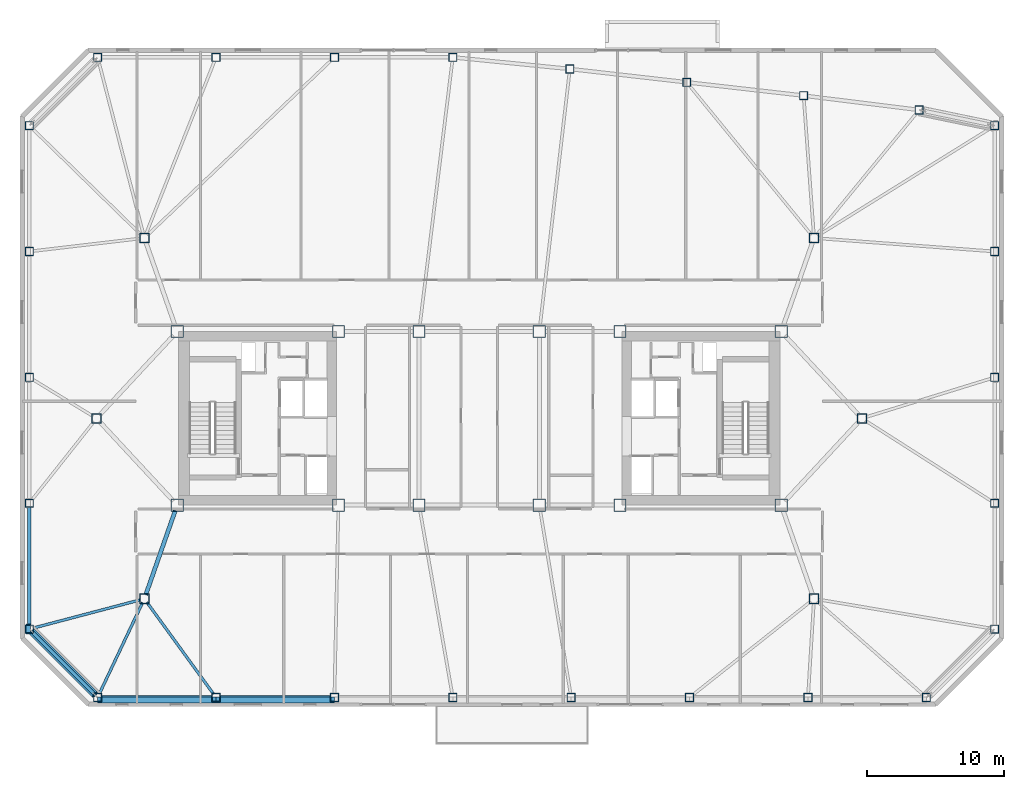
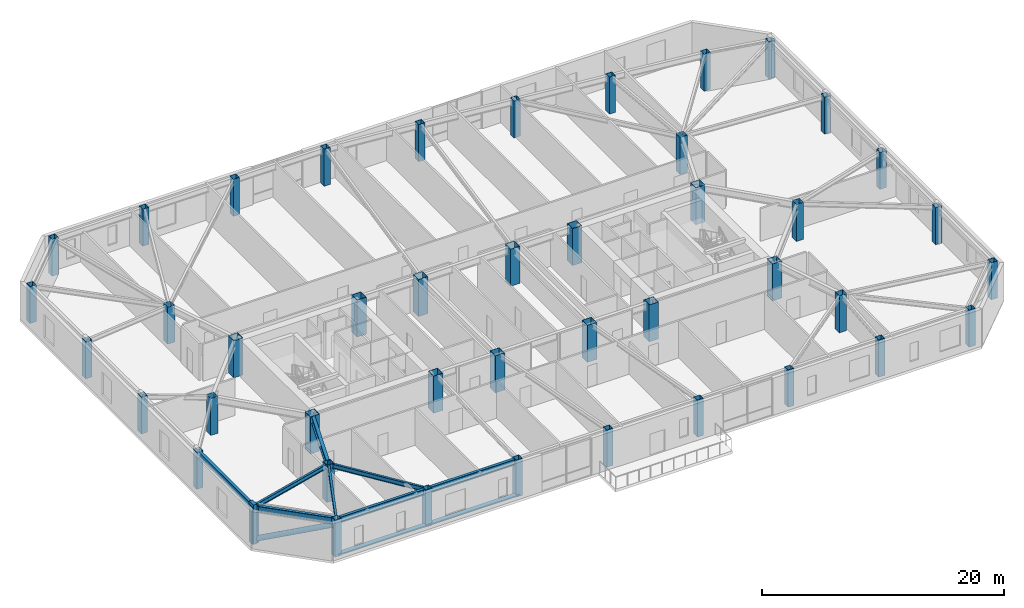
# One storey, part 1 of 19: 44 columns, 8 beams, 4 members.
"""IFC4 building model written with IfcOpenShell, lengths in metres."""

from ifc_helpers import new_model, si_unit, direction, frame, origin, origin_2d, place, context, subcontext, project, spatial, rectangle, hollow_rectangle, hollow_circle, i_section, extrude, material, material_profile, profile_set, type_object, element, save


model = new_model("IFC4")

# Units and contexts
model_context = context("Model", 3, precision=1e-05, world=origin(), true_north=direction((0.0, 1.0)))
body_context = subcontext(model_context, "Body", "Model", "MODEL_VIEW")
ifc_project = project(units=[si_unit("LENGTHUNIT", "METRE"), si_unit("AREAUNIT", "SQUARE_METRE"), si_unit("VOLUMEUNIT", "CUBIC_METRE"), si_unit("PLANEANGLEUNIT", "RADIAN"), si_unit("MASSUNIT", "GRAM", prefix="KILO")], contexts=[model_context])

# Site, building, storey
site_placement = place(None, origin())
site = spatial("IfcSite", under=ifc_project, at=site_placement, CompositionType="ELEMENT")
building_placement = place(site_placement, origin())
building = spatial("IfcBuilding", under=site, at=building_placement, Name="Tavrogorsk Clinical Tower", CompositionType="ELEMENT")
storey_placement = place(building_placement, frame((0.0, 0.0, 188.199951171875)))
storey = spatial("IfcBuildingStorey", under=building, at=storey_placement, Name="L43", CompositionType="ELEMENT", Elevation=188.199951171875)

# Columns
ifc_material_1 = material(Name="Structural steel S440", Category="steel")
ifc_material_profile_1 = material_profile(ifc_material_1, hollow_rectangle(XDim=0.699951171875, YDim=0.699951171875, WallThickness=0.031982421875, at=origin_2d()), Name="BOX-700x700x32")
ifc_profile_set_1 = profile_set([ifc_material_profile_1], Name="Structural steel S440")
column_type_1 = type_object("IfcColumnType", Name="MegaCol_BOX700", PredefinedType="COLUMN", material=ifc_profile_set_1)
for number, where, z_axis, x_axis, name in (
    (1, (-24.5, -13.199951171875, 0.0), (0.0, 0.0, 1.0), (1.0, 0.0, 0.0), "L43 Spine Pilotis Column MC-P1"),
    (2, (24.5, -13.199951171875, 0.0), (0.0, 0.0, 1.0), (1.0, 0.0, 0.0), "L43 Spine Pilotis Column MC-P2"),
    (3, (-24.5, 13.199951171875, 0.0), (0.0, 0.0, 1.0), (1.0, 0.0, 0.0), "L43 Spine Pilotis Column MC-P3"),
    (4, (24.5, 13.199951171875, 0.0), (0.0, 0.0, 1.0), (1.0, 0.0, 0.0), "L43 Spine Pilotis Column MC-P4"),
    (5, (-28.0, 0.0, 0.0), (0.0, 0.0, 1.0), (1.0, 0.0, 0.0), "L43 Spine Pilotis Column MC-P5"),
    (6, (28.0, 0.0, 0.0), (0.0, 0.0, 1.0), (1.0, 0.0, 0.0), "L43 Spine Pilotis Column MC-P6"),
):
    element("IfcColumn", number, at=place(storey_placement, frame(where, z_axis=z_axis, x_axis=x_axis)), inside=storey, type_object=column_type_1, Name=name, PredefinedType="COLUMN", context=body_context, shape_type="SweptSolid", body=[
        extrude(hollow_rectangle(XDim=0.699951171875, YDim=0.699951171875, WallThickness=0.031982421875, at=origin_2d()), origin(), (0.0, 0.0, 1.0), 3.739990234375),
    ])
ifc_material_2 = material(Name="Structural steel S440", Category="steel")
ifc_material_profile_2 = material_profile(ifc_material_2, hollow_rectangle(XDim=0.89990234375, YDim=0.89990234375, WallThickness=0.0400390625, at=origin_2d()), Name="BOX-900x900x40")
ifc_profile_set_2 = profile_set([ifc_material_profile_2], Name="Structural steel S440")
column_type_2 = type_object("IfcColumnType", Name="MegaCol_BOX900", PredefinedType="COLUMN", material=ifc_profile_set_2)
for number, where, z_axis, x_axis, name in (
    (7, (-22.10009765625, -6.35009765625, 0.0), (0.0, 0.0, 1.0), (1.0, 0.0, 0.0), "L43 Mega Column MC-W1"),
    (8, (-22.10009765625, 6.35009765625, 0.0), (0.0, 0.0, 1.0), (1.0, 0.0, 0.0), "L43 Mega Column MC-W2"),
    (9, (-10.300048828125, -6.35009765625, 0.0), (0.0, 0.0, 1.0), (1.0, 0.0, 0.0), "L43 Mega Column MC-W3"),
    (10, (-10.300048828125, 6.35009765625, 0.0), (0.0, 0.0, 1.0), (1.0, 0.0, 0.0), "L43 Mega Column MC-W4"),
    (11, (10.300048828125, -6.35009765625, 0.0), (0.0, 0.0, 1.0), (1.0, 0.0, 0.0), "L43 Mega Column MC-E1"),
    (12, (10.300048828125, 6.35009765625, 0.0), (0.0, 0.0, 1.0), (1.0, 0.0, 0.0), "L43 Mega Column MC-E2"),
    (13, (22.10009765625, -6.35009765625, 0.0), (0.0, 0.0, 1.0), (1.0, 0.0, 0.0), "L43 Mega Column MC-E3"),
    (14, (22.10009765625, 6.35009765625, 0.0), (0.0, 0.0, 1.0), (1.0, 0.0, 0.0), "L43 Mega Column MC-E4"),
    (15, (-4.39990234375, -6.35009765625, 0.0), (0.0, 0.0, 1.0), (1.0, 0.0, 0.0), "L43 Mega Column MC-C1"),
    (16, (4.39990234375, -6.35009765625, 0.0), (0.0, 0.0, 1.0), (1.0, 0.0, 0.0), "L43 Mega Column MC-C2"),
    (17, (-4.39990234375, 6.35009765625, 0.0), (0.0, 0.0, 1.0), (1.0, 0.0, 0.0), "L43 Mega Column MC-C3"),
    (18, (4.39990234375, 6.35009765625, 0.0), (0.0, 0.0, 1.0), (1.0, 0.0, 0.0), "L43 Mega Column MC-C4"),
):
    element("IfcColumn", number, at=place(storey_placement, frame(where, z_axis=z_axis, x_axis=x_axis)), inside=storey, type_object=column_type_2, Name=name, PredefinedType="COLUMN", context=body_context, shape_type="SweptSolid", body=[
        extrude(hollow_rectangle(XDim=0.89990234375, YDim=0.89990234375, WallThickness=0.0400390625, at=origin_2d()), origin(), (0.0, 0.0, 1.0), 3.739990234375),
    ])
ifc_material_3 = material(Name="Structural steel S440", Category="steel")
ifc_material_profile_3 = material_profile(ifc_material_3, hollow_rectangle(XDim=0.60009765625, YDim=0.60009765625, WallThickness=0.028076171875, at=origin_2d()), Name="BOX-600x600x28")
ifc_profile_set_3 = profile_set([ifc_material_profile_3], Name="Structural steel S440")
column_type_3 = type_object("IfcColumnType", Name="PerimCol_B3_BOX600", PredefinedType="COLUMN", material=ifc_profile_set_3)
for number, where, z_axis, x_axis, name in (
    (19, (-27.919921875, -20.419921875, 0.0), (0.0, 0.0, 1.0), (1.0, 0.0, 0.0), "L43 Perimeter Column S1"),
    (20, (-19.257080078125, -20.419921875, 0.0), (0.0, 0.0, 1.0), (1.0, 0.0, 0.0), "L43 Perimeter Column S2"),
    (21, (-10.59423828125, -20.419921875, 0.0), (0.0, 0.0, 1.0), (1.0, 0.0, 0.0), "L43 Perimeter Column S3"),
    (22, (-1.931396484375, -20.419921875, 0.0), (0.0, 0.0, 1.0), (1.0, 0.0, 0.0), "L43 Perimeter Column S4"),
    (23, (6.7314453125, -20.419921875, 0.0), (0.0, 0.0, 1.0), (1.0, 0.0, 0.0), "L43 Perimeter Column S5"),
    (24, (15.394287109375, -20.419921875, 0.0), (0.0, 0.0, 1.0), (1.0, 0.0, 0.0), "L43 Perimeter Column S6"),
    (25, (24.05712890625, -20.419921875, 0.0), (0.0, 0.0, 1.0), (1.0, 0.0, 0.0), "L43 Perimeter Column S7"),
    (26, (32.719970703125, -20.419921875, 0.0), (0.0, 0.0, 1.0), (1.0, 0.0, 0.0), "L43 Perimeter Column S8"),
    (27, (32.19140625, 22.56591796875, 0.0), (0.0, 0.0, 1.0), (1.0, 0.0, 0.0), "L43 Perimeter Column N1"),
    (28, (23.73779296875, 23.617919921875, 0.0), (0.0, 0.0, 1.0), (1.0, 0.0, 0.0), "L43 Perimeter Column N2"),
    (29, (15.18603515625, 24.59228515625, 0.0), (0.0, 0.0, 1.0), (1.0, 0.0, 0.0), "L43 Perimeter Column N3"),
    (30, (6.63427734375, 25.566650390625, 0.0), (0.0, 0.0, 1.0), (1.0, 0.0, 0.0), "L43 Perimeter Column N4"),
    (31, (-1.931396484375, 26.419921875, 0.0), (0.0, 0.0, 1.0), (1.0, 0.0, 0.0), "L43 Perimeter Column N5"),
    (32, (-10.59423828125, 26.419921875, 0.0), (0.0, 0.0, 1.0), (1.0, 0.0, 0.0), "L43 Perimeter Column N6"),
    (33, (-19.257080078125, 26.419921875, 0.0), (0.0, 0.0, 1.0), (1.0, 0.0, 0.0), "L43 Perimeter Column N7"),
    (34, (-27.919921875, 26.419921875, 0.0), (0.0, 0.0, 1.0), (1.0, 0.0, 0.0), "L43 Perimeter Column N8"),
    (35, (37.719970703125, -15.419921875, 0.0), (0.0, 0.0, 1.0), (1.0, 0.0, 0.0), "L43 Perimeter Column E1"),
    (36, (37.719970703125, -6.2099609375, 0.0), (0.0, 0.0, 1.0), (1.0, 0.0, 0.0), "L43 Perimeter Column E2"),
    (37, (37.719970703125, 3.0, 0.0), (0.0, 0.0, 1.0), (1.0, 0.0, 0.0), "L43 Perimeter Column E3"),
    (38, (37.719970703125, 12.2099609375, 0.0), (0.0, 0.0, 1.0), (1.0, 0.0, 0.0), "L43 Perimeter Column E4"),
    (39, (37.719970703125, 21.419921875, 0.0), (0.0, 0.0, 1.0), (1.0, 0.0, 0.0), "L43 Perimeter Column E5"),
    (40, (-32.919921875, 21.419921875, 0.0), (0.0, 0.0, 1.0), (1.0, 0.0, 0.0), "L43 Perimeter Column W1"),
    (41, (-32.919921875, 12.2099609375, 0.0), (0.0, 0.0, 1.0), (1.0, 0.0, 0.0), "L43 Perimeter Column W2"),
    (42, (-32.919921875, 3.0, 0.0), (0.0, 0.0, 1.0), (1.0, 0.0, 0.0), "L43 Perimeter Column W3"),
    (43, (-32.919921875, -6.2099609375, 0.0), (0.0, 0.0, 1.0), (1.0, 0.0, 0.0), "L43 Perimeter Column W4"),
    (44, (-32.919921875, -15.419921875, 0.0), (0.0, 0.0, 1.0), (1.0, 0.0, 0.0), "L43 Perimeter Column W5"),
):
    element("IfcColumn", number, at=place(storey_placement, frame(where, z_axis=z_axis, x_axis=x_axis)), inside=storey, type_object=column_type_3, Name=name, PredefinedType="COLUMN", context=body_context, shape_type="SweptSolid", body=[
        extrude(hollow_rectangle(XDim=0.60009765625, YDim=0.60009765625, WallThickness=0.028076171875, at=origin_2d()), origin(), (0.0, 0.0, 1.0), 3.739990234375),
    ])

# Members
ifc_material_4 = material(Name="Anodised aluminium alloy AW-6063", Category="aluminium")
ifc_material_profile_4 = material_profile(ifc_material_4, rectangle(XDim=0.449951171875, YDim=0.1201171875, at=origin_2d()), Name="ALU-SUNSHADE-450x120")
ifc_profile_set_4 = profile_set([ifc_material_profile_4], Name="Anodised aluminium alloy AW-6063")
member_type_1 = type_object("IfcMemberType", Name="ChicagoSunshade_450x120", PredefinedType="USERDEFINED", material=ifc_profile_set_4)
for number, where, z_axis, x_axis, name in (
    (45, (-27.919921875, -20.60009765625, 0.179931640625), (1.0, 0.0, 0.0), (0.0, 1.0, 0.0), "L43 South Aluminium Sunshade S1"),
    (46, (-19.257080078125, -20.60009765625, 0.179931640625), (1.0, 0.0, 0.0), (0.0, 1.0, 0.0), "L43 South Aluminium Sunshade S2"),
):
    element("IfcMember", number, at=place(storey_placement, frame(where, z_axis=z_axis, x_axis=x_axis)), inside=storey, type_object=member_type_1, Name=name, ObjectType="SUNSHADE", PredefinedType="USERDEFINED", context=body_context, shape_type="SweptSolid", body=[
        extrude(rectangle(XDim=0.449951171875, YDim=0.1201171875, at=origin_2d()), origin(), (0.0, 0.0, 1.0), 8.662841796875),
    ])
ifc_material_5 = material(Name="Structural steel S440", Category="steel")
ifc_material_profile_5 = material_profile(ifc_material_5, hollow_circle(Radius=0.25390625, WallThickness=0.02001953125, at=origin_2d()), Name="CHS-508x20")
ifc_profile_set_5 = profile_set([ifc_material_profile_5], Name="Structural steel S440")
member_type_2 = type_object("IfcMemberType", Name="ExoBrace_CHS508", PredefinedType="BRACE", material=ifc_profile_set_5)
member_1_placement = place(storey_placement, frame((-32.717529296875, -15.62255859375, 0.4130859375), z_axis=(0.657758524103, -0.657758524103, 0.367025132572), x_axis=(0.707106781187, 0.707106781187, 0.0)))
element("IfcMember", 47, at=member_1_placement, inside=storey, type_object=member_type_2, Name="L43 Corner Exoskeleton Brace W5-S1", PredefinedType="BRACE", context=body_context, shape_type="SweptSolid", body=[
    extrude(hollow_circle(Radius=0.25390625, WallThickness=0.02001953125, at=origin_2d()), origin(), (0.0, 0.0, 1.0), 6.98583984375),
])

# Beams
ifc_material_6 = material(Name="Structural steel S355", Category="steel")
ifc_material_profile_6 = material_profile(ifc_material_6, i_section(OverallWidth=0.199951171875, OverallDepth=0.449951171875, WebThickness=0.011474609375, FlangeThickness=0.01806640625, at=origin_2d()), Name="B-450x200x11.5x18")
ifc_profile_set_6 = profile_set([ifc_material_profile_6], Name="Structural steel S355")
beam_type_1 = type_object("IfcBeamType", Name="FloorBeam_B450", PredefinedType="BEAM", material=ifc_profile_set_6)
beam_1_placement = place(storey_placement, frame((-24.6328125, -13.480224609375, 3.51513671875), z_axis=(-0.428073530385, -0.90374390874, 0.0), x_axis=(0.90374390874, -0.428073530385, 0.0)))
element("IfcBeam", 48, at=beam_1_placement, inside=storey, type_object=beam_type_1, Name="L43 Radial Floor Beam S1", PredefinedType="BEAM", context=body_context, shape_type="SweptSolid", body=[
    extrude(i_section(OverallWidth=0.199951171875, OverallDepth=0.449951171875, WebThickness=0.011474609375, FlangeThickness=0.01806640625, at=origin_2d()), origin(), (0.0, 0.0, 1.0), 7.370849609375),
])
beam_2_placement = place(storey_placement, frame((-24.31787109375, -13.450927734375, 3.51513671875), z_axis=(0.587591229638, -0.809157924544, 0.0), x_axis=(0.809157924544, 0.587591229638, 0.0)))
element("IfcBeam", 49, at=beam_2_placement, inside=storey, type_object=beam_type_1, Name="L43 Radial Floor Beam S2", PredefinedType="BEAM", context=body_context, shape_type="SweptSolid", body=[
    extrude(i_section(OverallWidth=0.199951171875, OverallDepth=0.449951171875, WebThickness=0.011474609375, FlangeThickness=0.01806640625, at=origin_2d()), origin(), (0.0, 0.0, 1.0), 8.304931640625),
])
beam_3_placement = place(storey_placement, frame((-24.7998046875, -13.279052734375, 3.51513671875), z_axis=(-0.966952457073, -0.254956752726, 0.0), x_axis=(0.254956752726, -0.966952457073, 0.0)))
element("IfcBeam", 50, at=beam_3_placement, inside=storey, type_object=beam_type_1, Name="L43 Radial Floor Beam W5", PredefinedType="BEAM", context=body_context, shape_type="SweptSolid", body=[
    extrude(i_section(OverallWidth=0.199951171875, OverallDepth=0.449951171875, WebThickness=0.011474609375, FlangeThickness=0.01806640625, at=origin_2d()), origin(), (0.0, 0.0, 1.0), 8.089599609375),
])

# Member
ifc_material_7 = material(Name="Precast concrete B45 with limestone cladding", Category="masonry")
ifc_material_profile_7 = material_profile(ifc_material_7, rectangle(XDim=0.320068359375, YDim=0.719970703125, at=origin_2d()), Name="LIMESTONE-FIN-320x720")
ifc_profile_set_7 = profile_set([ifc_material_profile_7], Name="Precast concrete B45 with limestone cladding")
member_type_3 = type_object("IfcMemberType", Name="LimestonePleatFin_320x720", PredefinedType="USERDEFINED", material=ifc_profile_set_7)
member_2_placement = place(storey_placement, frame((-33.0, -15.419921875, 0.0), z_axis=(0.0, 0.0, 1.0), x_axis=(1.0, 0.0, 0.0)))
element("IfcMember", 51, at=member_2_placement, inside=storey, type_object=member_type_3, Name="L43 W Pleated Stone Fin 4", ObjectType="FIN", PredefinedType="USERDEFINED", context=body_context, shape_type="SweptSolid", body=[
    extrude(rectangle(XDim=0.320068359375, YDim=0.719970703125, at=origin_2d()), origin(), (0.0, 0.0, 1.0), 4.0),
])

# Beams
ifc_material_8 = material(Name="Structural steel S390", Category="steel")
ifc_material_profile_8 = material_profile(ifc_material_8, i_section(OverallWidth=0.300048828125, OverallDepth=0.699951171875, WebThickness=0.01708984375, FlangeThickness=0.028076171875, at=origin_2d()), Name="B-700x300x17x28")
ifc_profile_set_8 = profile_set([ifc_material_profile_8], Name="Structural steel S390")
beam_type_2 = type_object("IfcBeamType", Name="PrimaryGirder_B700", PredefinedType="USERDEFINED", material=ifc_profile_set_8)
beam_4_placement = place(storey_placement, frame((-24.3974609375, -12.907470703125, 3.39013671875), z_axis=(0.33065312634, 0.94375235631, 0.0), x_axis=(-0.94375235631, 0.33065312634, 0.0)))
element("IfcBeam", 52, at=beam_4_placement, inside=storey, type_object=beam_type_2, Name="L43 Spine Link Girder OPG-1", ObjectType="GIRDER", PredefinedType="USERDEFINED", context=body_context, shape_type="SweptSolid", body=[
    extrude(i_section(OverallWidth=0.300048828125, OverallDepth=0.699951171875, WebThickness=0.01708984375, FlangeThickness=0.028076171875, at=origin_2d()), origin(), (0.0, 0.0, 1.0), 6.5380859375),
])
ifc_material_9 = material(Name="Structural steel S390", Category="steel")
ifc_material_profile_9 = material_profile(ifc_material_9, i_section(OverallWidth=0.260009765625, OverallDepth=0.60009765625, WebThickness=0.014892578125, FlangeThickness=0.02392578125, at=origin_2d()), Name="B-600x260x15x24")
ifc_profile_set_9 = profile_set([ifc_material_profile_9], Name="Structural steel S390")
beam_type_3 = type_object("IfcBeamType", Name="SpandrelBeam_B600", PredefinedType="SPANDREL", material=ifc_profile_set_9)
for number, where, z_axis, x_axis, name in (
    (53, (-27.612060546875, -20.419921875, 3.43994140625), (1.0, 0.0, 0.0), (0.0, 1.0, 0.0), "L43 Perimeter Spandrel S1-S2"),
    (54, (-18.94921875, -20.419921875, 3.43994140625), (1.0, 0.0, 0.0), (0.0, 1.0, 0.0), "L43 Perimeter Spandrel S2-S3"),
):
    element("IfcBeam", number, at=place(storey_placement, frame(where, z_axis=z_axis, x_axis=x_axis)), inside=storey, type_object=beam_type_3, Name=name, PredefinedType="SPANDREL", context=body_context, shape_type="SweptSolid", body=[
        extrude(i_section(OverallWidth=0.260009765625, OverallDepth=0.60009765625, WebThickness=0.014892578125, FlangeThickness=0.02392578125, at=origin_2d()), origin(), (0.0, 0.0, 1.0), 8.046875),
    ])
beam_5_placement = place(storey_placement, frame((-32.919921875, -6.51806640625, 3.43994140625), z_axis=(0.0, -1.0, 0.0), x_axis=(1.0, 0.0, 0.0)))
element("IfcBeam", 55, at=beam_5_placement, inside=storey, type_object=beam_type_3, Name="L43 Perimeter Spandrel W4-W5", PredefinedType="SPANDREL", context=body_context, shape_type="SweptSolid", body=[
    extrude(i_section(OverallWidth=0.260009765625, OverallDepth=0.60009765625, WebThickness=0.014892578125, FlangeThickness=0.02392578125, at=origin_2d()), origin(), (0.0, 0.0, 1.0), 8.593994140625),
])
beam_6_placement = place(storey_placement, frame((-32.7021484375, -15.6376953125, 3.43994140625), z_axis=(0.707106781187, -0.707106781187, 0.0), x_axis=(0.707106781187, 0.707106781187, 0.0)))
element("IfcBeam", 56, at=beam_6_placement, inside=storey, type_object=beam_type_3, Name="L43 Perimeter Spandrel W5-S1", PredefinedType="SPANDREL", context=body_context, shape_type="SweptSolid", body=[
    extrude(i_section(OverallWidth=0.260009765625, OverallDepth=0.60009765625, WebThickness=0.014892578125, FlangeThickness=0.02392578125, at=origin_2d()), origin(), (0.0, 0.0, 1.0), 6.455078125),
])

save(model, "model.ifc")
